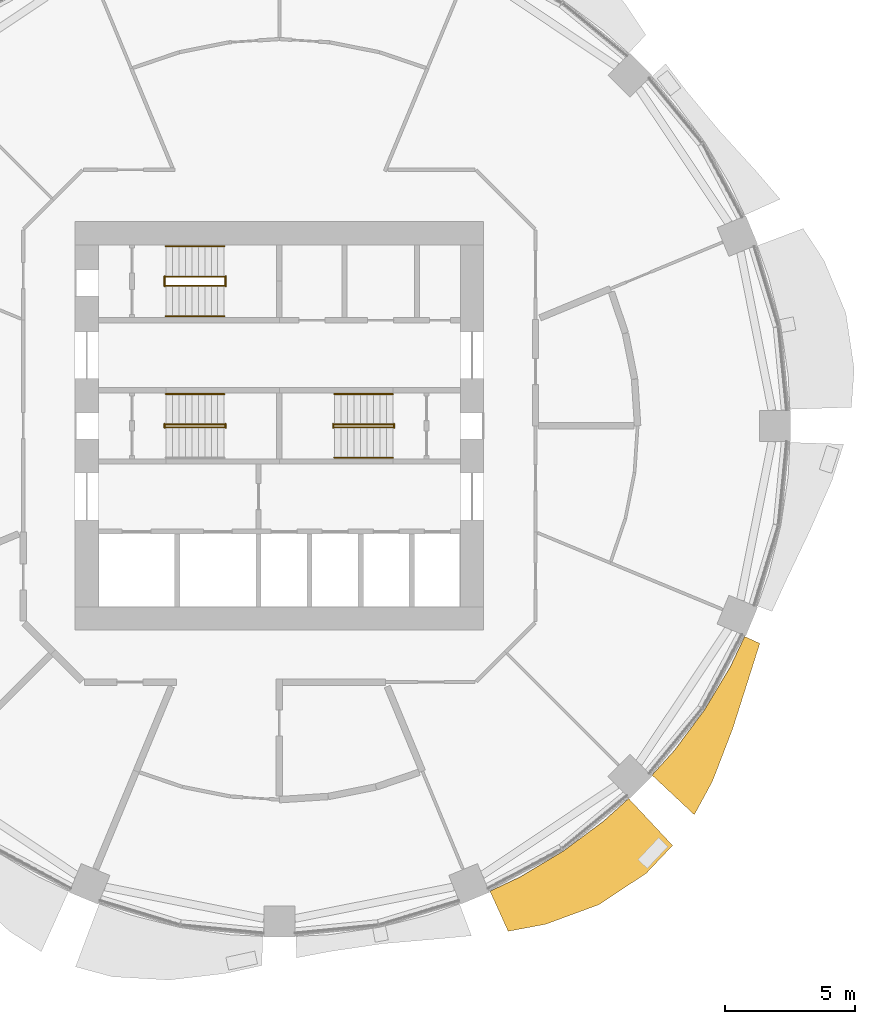
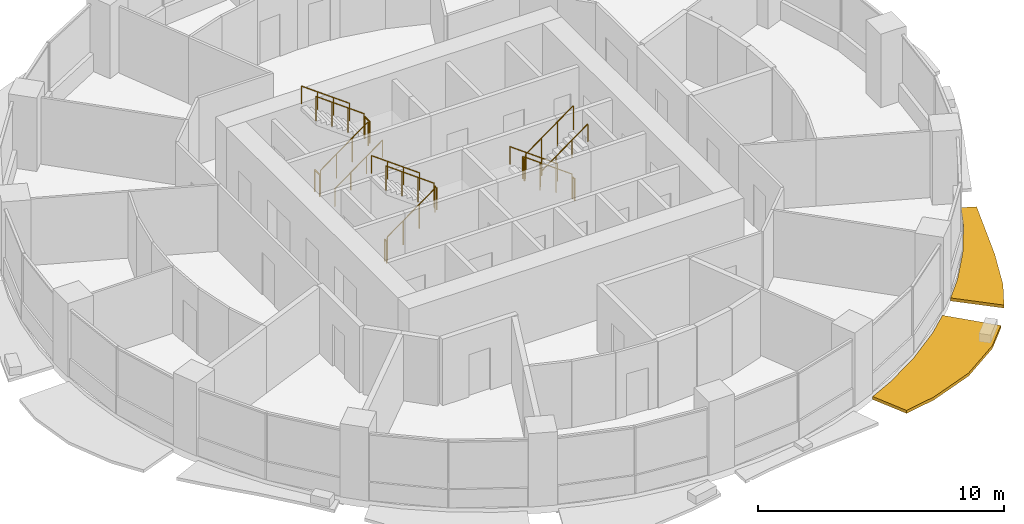
# One storey, part 13 of 15: 17 railings, 2 shading devices.
"""IFC4 building model written with IfcOpenShell, lengths in metres."""

from ifc_helpers import new_model, si_unit, direction, frame, origin, origin_2d, place, context, subcontext, project, spatial, polyline, circle, outline, extrude, material, type_object, element, save


model = new_model("IFC4")

# Units and contexts
model_context = context("Model", 3, precision=1e-05, world=origin(), true_north=direction((0.0, 1.0)))
body_context = subcontext(model_context, "Body", "Model", "MODEL_VIEW")
ifc_project = project(units=[si_unit("LENGTHUNIT", "METRE"), si_unit("AREAUNIT", "SQUARE_METRE"), si_unit("VOLUMEUNIT", "CUBIC_METRE"), si_unit("PLANEANGLEUNIT", "RADIAN"), si_unit("MASSUNIT", "GRAM", prefix="KILO")], contexts=[model_context])

# Site, building, storey
site_placement = place(None, origin())
site = spatial("IfcSite", under=ifc_project, at=site_placement, CompositionType="ELEMENT")
building_placement = place(site_placement, origin())
building = spatial("IfcBuilding", under=site, at=building_placement, Name="Polderwave Tower", CompositionType="ELEMENT")
storey_placement = place(building_placement, frame((0.0, 0.0, 40.800048828125)))
storey = spatial("IfcBuildingStorey", under=building, at=storey_placement, Name="L10", CompositionType="ELEMENT", Elevation=40.800048828125)

# Railings
ifc_material_1 = material(Name="Stainless steel", Category="steel")
railing_type_1 = type_object("IfcRailingType", Name="Stair guard 1100", PredefinedType="GUARDRAIL", material=ifc_material_1)
railing_1_placement = place(storey_placement, frame((-4.3740234375, -0.051025390625, 0.062255859375)))
element("IfcRailing", 1, at=railing_1_placement, inside=storey, type_object=railing_type_1, Name="L10 ST-A stair guard 1", PredefinedType="GUARDRAIL", context=body_context, shape_type="SweptSolid", body=[
    extrude(circle(Radius=0.02392578125, at=origin_2d()), frame((0.0, 0.0, 1.1962890625), z_axis=(0.807673635365, 0.0, 0.58962979804), x_axis=(0.0, 1.0, 0.0)), (0.0, 0.0, 1.0), 2.785888671875),
    extrude(circle(Radius=0.02392578125, at=origin_2d()), origin(), (0.0, 0.0, 1.0), 1.172119140625),
    extrude(circle(Radius=0.02392578125, at=origin_2d()), frame((0.75, 0.0, 0.547607421875)), (0.0, 0.0, 1.0), 1.172119140625),
    extrude(circle(Radius=0.02392578125, at=origin_2d()), frame((1.5, 0.0, 1.094970703125)), (0.0, 0.0, 1.0), 1.172119140625),
    extrude(circle(Radius=0.02392578125, at=origin_2d()), frame((2.25, 0.0, 1.642578125)), (0.0, 0.0, 1.0), 1.172119140625),
])
railing_2_placement = place(storey_placement, frame((-2.073974609375, -0.074951171875, 1.824951171875)))
element("IfcRailing", 2, at=railing_2_placement, inside=storey, type_object=railing_type_1, Name="L10 ST-A stair guard 2", PredefinedType="GUARDRAIL", context=body_context, shape_type="SweptSolid", body=[
    extrude(circle(Radius=0.02392578125, at=origin_2d()), frame((0.0, 0.0, 1.076171875), z_axis=(0.0, 1.0, 0.0), x_axis=(-1.0, 0.0, 0.0)), (0.0, 0.0, 1.0), 0.14990234375),
    extrude(circle(Radius=0.02099609375, at=origin_2d()), origin(), (0.0, 0.0, 1.0), 1.052001953125),
    extrude(circle(Radius=0.02099609375, at=origin_2d()), frame((0.0, 0.14990234375, 0.0)), (0.0, 0.0, 1.0), 1.052001953125),
])
railing_3_placement = place(storey_placement, frame((-2.1240234375, 0.051025390625, 1.887451171875)))
element("IfcRailing", 3, at=railing_3_placement, inside=storey, type_object=railing_type_1, Name="L10 ST-A stair guard 3", PredefinedType="GUARDRAIL", context=body_context, shape_type="SweptSolid", body=[
    extrude(circle(Radius=0.02392578125, at=origin_2d()), frame((0.0, 0.0, 1.1962890625), z_axis=(-0.807715371301, 0.0, 0.589572623995), x_axis=(0.0, -1.0, 0.0)), (0.0, 0.0, 1.0), 2.78564453125),
    extrude(circle(Radius=0.02392578125, at=origin_2d()), origin(), (0.0, 0.0, 1.0), 1.172119140625),
    extrude(circle(Radius=0.02392578125, at=origin_2d()), frame((-0.75, 0.0, 0.54736328125)), (0.0, 0.0, 1.0), 1.172119140625),
    extrude(circle(Radius=0.02392578125, at=origin_2d()), frame((-1.5, 0.0, 1.094970703125)), (0.0, 0.0, 1.0), 1.172119140625),
    extrude(circle(Radius=0.02392578125, at=origin_2d()), frame((-2.25, 0.0, 1.642333984375)), (0.0, 0.0, 1.0), 1.172119140625),
])
railing_4_placement = place(storey_placement, frame((-4.424072265625, -0.074951171875, 0.0)))
element("IfcRailing", 4, at=railing_4_placement, inside=storey, type_object=railing_type_1, Name="L10 ST-A stair guard 4", PredefinedType="GUARDRAIL", context=body_context, shape_type="SweptSolid", body=[
    extrude(circle(Radius=0.02392578125, at=origin_2d()), frame((0.0, 0.0, 1.076171875), z_axis=(0.0, 1.0, 0.0), x_axis=(-1.0, 0.0, 0.0)), (0.0, 0.0, 1.0), 0.14990234375),
    extrude(circle(Radius=0.02099609375, at=origin_2d()), origin(), (0.0, 0.0, 1.0), 1.052001953125),
    extrude(circle(Radius=0.02099609375, at=origin_2d()), frame((0.0, 0.14990234375, 0.0)), (0.0, 0.0, 1.0), 1.052001953125),
])
railing_5_placement = place(storey_placement, frame((4.3740234375, 0.051025390625, 0.062255859375)))
element("IfcRailing", 5, at=railing_5_placement, inside=storey, type_object=railing_type_1, Name="L10 ST-B stair guard 1", PredefinedType="GUARDRAIL", context=body_context, shape_type="SweptSolid", body=[
    extrude(circle(Radius=0.02392578125, at=origin_2d()), frame((0.0, 0.0, 1.1962890625), z_axis=(-0.807673635365, 0.0, 0.58962979804), x_axis=(0.0, -1.0, 0.0)), (0.0, 0.0, 1.0), 2.785888671875),
    extrude(circle(Radius=0.02392578125, at=origin_2d()), origin(), (0.0, 0.0, 1.0), 1.172119140625),
    extrude(circle(Radius=0.02392578125, at=origin_2d()), frame((-0.75, 0.0, 0.547607421875)), (0.0, 0.0, 1.0), 1.172119140625),
    extrude(circle(Radius=0.02392578125, at=origin_2d()), frame((-1.5, 0.0, 1.094970703125)), (0.0, 0.0, 1.0), 1.172119140625),
    extrude(circle(Radius=0.02392578125, at=origin_2d()), frame((-2.25, 0.0, 1.642578125)), (0.0, 0.0, 1.0), 1.172119140625),
])
railing_6_placement = place(storey_placement, frame((2.073974609375, 0.074951171875, 1.824951171875)))
element("IfcRailing", 6, at=railing_6_placement, inside=storey, type_object=railing_type_1, Name="L10 ST-B stair guard 2", PredefinedType="GUARDRAIL", context=body_context, shape_type="SweptSolid", body=[
    extrude(circle(Radius=0.02392578125, at=origin_2d()), frame((0.0, 0.0, 1.076171875), z_axis=(0.0, -1.0, 0.0), x_axis=(1.0, 0.0, 0.0)), (0.0, 0.0, 1.0), 0.14990234375),
    extrude(circle(Radius=0.02099609375, at=origin_2d()), origin(), (0.0, 0.0, 1.0), 1.052001953125),
    extrude(circle(Radius=0.02099609375, at=origin_2d()), frame((0.0, -0.14990234375, 0.0)), (0.0, 0.0, 1.0), 1.052001953125),
])
railing_7_placement = place(storey_placement, frame((2.1240234375, -0.051025390625, 1.887451171875)))
element("IfcRailing", 7, at=railing_7_placement, inside=storey, type_object=railing_type_1, Name="L10 ST-B stair guard 3", PredefinedType="GUARDRAIL", context=body_context, shape_type="SweptSolid", body=[
    extrude(circle(Radius=0.02392578125, at=origin_2d()), frame((0.0, 0.0, 1.1962890625), z_axis=(0.807715371301, 0.0, 0.589572623995), x_axis=(0.0, 1.0, 0.0)), (0.0, 0.0, 1.0), 2.78564453125),
    extrude(circle(Radius=0.02392578125, at=origin_2d()), origin(), (0.0, 0.0, 1.0), 1.172119140625),
    extrude(circle(Radius=0.02392578125, at=origin_2d()), frame((0.75, 0.0, 0.54736328125)), (0.0, 0.0, 1.0), 1.172119140625),
    extrude(circle(Radius=0.02392578125, at=origin_2d()), frame((1.5, 0.0, 1.094970703125)), (0.0, 0.0, 1.0), 1.172119140625),
    extrude(circle(Radius=0.02392578125, at=origin_2d()), frame((2.25, 0.0, 1.642333984375)), (0.0, 0.0, 1.0), 1.172119140625),
])
railing_8_placement = place(storey_placement, frame((4.424072265625, 0.074951171875, 0.0)))
element("IfcRailing", 8, at=railing_8_placement, inside=storey, type_object=railing_type_1, Name="L10 ST-B stair guard 4", PredefinedType="GUARDRAIL", context=body_context, shape_type="SweptSolid", body=[
    extrude(circle(Radius=0.02392578125, at=origin_2d()), frame((0.0, 0.0, 1.076171875), z_axis=(0.0, -1.0, 0.0), x_axis=(1.0, 0.0, 0.0)), (0.0, 0.0, 1.0), 0.14990234375),
    extrude(circle(Radius=0.02099609375, at=origin_2d()), origin(), (0.0, 0.0, 1.0), 1.052001953125),
    extrude(circle(Radius=0.02099609375, at=origin_2d()), frame((0.0, -0.14990234375, 0.0)), (0.0, 0.0, 1.0), 1.052001953125),
])
railing_9_placement = place(storey_placement, frame((-4.3740234375, 5.39794921875, 0.062255859375)))
element("IfcRailing", 9, at=railing_9_placement, inside=storey, type_object=railing_type_1, Name="L10 ST-C stair guard 1", PredefinedType="GUARDRAIL", context=body_context, shape_type="SweptSolid", body=[
    extrude(circle(Radius=0.02392578125, at=origin_2d()), frame((0.0, 0.0, 1.1962890625), z_axis=(0.807673635365, 0.0, 0.58962979804), x_axis=(0.0, 1.0, 0.0)), (0.0, 0.0, 1.0), 2.785888671875),
    extrude(circle(Radius=0.02392578125, at=origin_2d()), origin(), (0.0, 0.0, 1.0), 1.172119140625),
    extrude(circle(Radius=0.02392578125, at=origin_2d()), frame((0.75, 0.0, 0.547607421875)), (0.0, 0.0, 1.0), 1.172119140625),
    extrude(circle(Radius=0.02392578125, at=origin_2d()), frame((1.5, 0.0, 1.094970703125)), (0.0, 0.0, 1.0), 1.172119140625),
    extrude(circle(Radius=0.02392578125, at=origin_2d()), frame((2.25, 0.0, 1.642578125)), (0.0, 0.0, 1.0), 1.172119140625),
])
railing_10_placement = place(storey_placement, frame((-2.073974609375, 5.3740234375, 1.824951171875)))
element("IfcRailing", 10, at=railing_10_placement, inside=storey, type_object=railing_type_1, Name="L10 ST-C stair guard 2", PredefinedType="GUARDRAIL", context=body_context, shape_type="SweptSolid", body=[
    extrude(circle(Radius=0.02392578125, at=origin_2d()), frame((0.0, 0.0, 1.076171875), z_axis=(0.0, 1.0, 0.0), x_axis=(-1.0, 0.0, 0.0)), (0.0, 0.0, 1.0), 0.39990234375),
    extrude(circle(Radius=0.02099609375, at=origin_2d()), origin(), (0.0, 0.0, 1.0), 1.052001953125),
    extrude(circle(Radius=0.02099609375, at=origin_2d()), frame((0.0, 0.39990234375, 0.0)), (0.0, 0.0, 1.0), 1.052001953125),
])
railing_11_placement = place(storey_placement, frame((-2.1240234375, 5.75, 1.887451171875)))
element("IfcRailing", 11, at=railing_11_placement, inside=storey, type_object=railing_type_1, Name="L10 ST-C stair guard 3", PredefinedType="GUARDRAIL", context=body_context, shape_type="SweptSolid", body=[
    extrude(circle(Radius=0.02392578125, at=origin_2d()), frame((0.0, 0.0, 1.1962890625), z_axis=(-0.807715371301, 0.0, 0.589572623995), x_axis=(0.0, -1.0, 0.0)), (0.0, 0.0, 1.0), 2.78564453125),
    extrude(circle(Radius=0.02392578125, at=origin_2d()), origin(), (0.0, 0.0, 1.0), 1.172119140625),
    extrude(circle(Radius=0.02392578125, at=origin_2d()), frame((-0.75, 0.0, 0.54736328125)), (0.0, 0.0, 1.0), 1.172119140625),
    extrude(circle(Radius=0.02392578125, at=origin_2d()), frame((-1.5, 0.0, 1.094970703125)), (0.0, 0.0, 1.0), 1.172119140625),
    extrude(circle(Radius=0.02392578125, at=origin_2d()), frame((-2.25, 0.0, 1.642333984375)), (0.0, 0.0, 1.0), 1.172119140625),
])
railing_12_placement = place(storey_placement, frame((-4.424072265625, 5.3740234375, 0.0)))
element("IfcRailing", 12, at=railing_12_placement, inside=storey, type_object=railing_type_1, Name="L10 ST-C stair guard 4", PredefinedType="GUARDRAIL", context=body_context, shape_type="SweptSolid", body=[
    extrude(circle(Radius=0.02392578125, at=origin_2d()), frame((0.0, 0.0, 1.076171875), z_axis=(0.0, 1.0, 0.0), x_axis=(-1.0, 0.0, 0.0)), (0.0, 0.0, 1.0), 0.39990234375),
    extrude(circle(Radius=0.02099609375, at=origin_2d()), origin(), (0.0, 0.0, 1.0), 1.052001953125),
    extrude(circle(Radius=0.02099609375, at=origin_2d()), frame((0.0, 0.39990234375, 0.0)), (0.0, 0.0, 1.0), 1.052001953125),
])
railing_type_2 = type_object("IfcRailingType", Name="Stair handrail 900", PredefinedType="HANDRAIL", material=ifc_material_1)
railing_13_placement = place(storey_placement, frame((-2.1240234375, 1.22509765625, 2.007568359375)))
element("IfcRailing", 13, at=railing_13_placement, inside=storey, type_object=railing_type_2, Name="L10 ST-A stair handrail 2", PredefinedType="HANDRAIL", context=body_context, shape_type="SweptSolid", body=[
    extrude(circle(Radius=0.02392578125, at=origin_2d()), frame((0.0, 0.0, 0.8759765625), z_axis=(-0.807715371301, 0.0, 0.589572623995), x_axis=(0.0, -1.0, 0.0)), (0.0, 0.0, 1.0), 2.78564453125),
    extrude(circle(Radius=0.02099609375, at=origin_2d()), origin(), (0.0, 0.0, 1.0), 0.851806640625),
    extrude(circle(Radius=0.02099609375, at=origin_2d()), frame((-0.75, 0.0, 0.54736328125)), (0.0, 0.0, 1.0), 0.851806640625),
    extrude(circle(Radius=0.02099609375, at=origin_2d()), frame((-1.5, 0.0, 1.094970703125)), (0.0, 0.0, 1.0), 0.851806640625),
    extrude(circle(Radius=0.02099609375, at=origin_2d()), frame((-2.25, 0.0, 1.642333984375)), (0.0, 0.0, 1.0), 0.851806640625),
])
railing_14_placement = place(storey_placement, frame((4.3740234375, 1.22509765625, 0.182373046875)))
element("IfcRailing", 14, at=railing_14_placement, inside=storey, type_object=railing_type_2, Name="L10 ST-B stair handrail 1", PredefinedType="HANDRAIL", context=body_context, shape_type="SweptSolid", body=[
    extrude(circle(Radius=0.02392578125, at=origin_2d()), frame((0.0, 0.0, 0.8759765625), z_axis=(-0.807673635365, 0.0, 0.58962979804), x_axis=(0.0, -1.0, 0.0)), (0.0, 0.0, 1.0), 2.785888671875),
    extrude(circle(Radius=0.02099609375, at=origin_2d()), origin(), (0.0, 0.0, 1.0), 0.851806640625),
    extrude(circle(Radius=0.02099609375, at=origin_2d()), frame((-0.75, 0.0, 0.547607421875)), (0.0, 0.0, 1.0), 0.851806640625),
    extrude(circle(Radius=0.02099609375, at=origin_2d()), frame((-1.5, 0.0, 1.094970703125)), (0.0, 0.0, 1.0), 0.851806640625),
    extrude(circle(Radius=0.02099609375, at=origin_2d()), frame((-2.25, 0.0, 1.642578125)), (0.0, 0.0, 1.0), 0.851806640625),
])
railing_15_placement = place(storey_placement, frame((2.1240234375, -1.22509765625, 2.007568359375)))
element("IfcRailing", 15, at=railing_15_placement, inside=storey, type_object=railing_type_2, Name="L10 ST-B stair handrail 2", PredefinedType="HANDRAIL", context=body_context, shape_type="SweptSolid", body=[
    extrude(circle(Radius=0.02392578125, at=origin_2d()), frame((0.0, 0.0, 0.8759765625), z_axis=(0.807715371301, 0.0, 0.589572623995), x_axis=(0.0, 1.0, 0.0)), (0.0, 0.0, 1.0), 2.78564453125),
    extrude(circle(Radius=0.02099609375, at=origin_2d()), origin(), (0.0, 0.0, 1.0), 0.851806640625),
    extrude(circle(Radius=0.02099609375, at=origin_2d()), frame((0.75, 0.0, 0.54736328125)), (0.0, 0.0, 1.0), 0.851806640625),
    extrude(circle(Radius=0.02099609375, at=origin_2d()), frame((1.5, 0.0, 1.094970703125)), (0.0, 0.0, 1.0), 0.851806640625),
    extrude(circle(Radius=0.02099609375, at=origin_2d()), frame((2.25, 0.0, 1.642333984375)), (0.0, 0.0, 1.0), 0.851806640625),
])
railing_16_placement = place(storey_placement, frame((-4.3740234375, 4.22412109375, 0.182373046875)))
element("IfcRailing", 16, at=railing_16_placement, inside=storey, type_object=railing_type_2, Name="L10 ST-C stair handrail 1", PredefinedType="HANDRAIL", context=body_context, shape_type="SweptSolid", body=[
    extrude(circle(Radius=0.02392578125, at=origin_2d()), frame((0.0, 0.0, 0.8759765625), z_axis=(0.807673635365, 0.0, 0.58962979804), x_axis=(0.0, 1.0, 0.0)), (0.0, 0.0, 1.0), 2.785888671875),
    extrude(circle(Radius=0.02099609375, at=origin_2d()), origin(), (0.0, 0.0, 1.0), 0.851806640625),
    extrude(circle(Radius=0.02099609375, at=origin_2d()), frame((0.75, 0.0, 0.547607421875)), (0.0, 0.0, 1.0), 0.851806640625),
    extrude(circle(Radius=0.02099609375, at=origin_2d()), frame((1.5, 0.0, 1.094970703125)), (0.0, 0.0, 1.0), 0.851806640625),
    extrude(circle(Radius=0.02099609375, at=origin_2d()), frame((2.25, 0.0, 1.642578125)), (0.0, 0.0, 1.0), 0.851806640625),
])
railing_17_placement = place(storey_placement, frame((-2.1240234375, 6.924072265625, 2.007568359375)))
element("IfcRailing", 17, at=railing_17_placement, inside=storey, type_object=railing_type_2, Name="L10 ST-C stair handrail 2", PredefinedType="HANDRAIL", context=body_context, shape_type="SweptSolid", body=[
    extrude(circle(Radius=0.02392578125, at=origin_2d()), frame((0.0, 0.0, 0.8759765625), z_axis=(-0.807715371301, 0.0, 0.589572623995), x_axis=(0.0, -1.0, 0.0)), (0.0, 0.0, 1.0), 2.78564453125),
    extrude(circle(Radius=0.02099609375, at=origin_2d()), origin(), (0.0, 0.0, 1.0), 0.851806640625),
    extrude(circle(Radius=0.02099609375, at=origin_2d()), frame((-0.75, 0.0, 0.54736328125)), (0.0, 0.0, 1.0), 0.851806640625),
    extrude(circle(Radius=0.02099609375, at=origin_2d()), frame((-1.5, 0.0, 1.094970703125)), (0.0, 0.0, 1.0), 0.851806640625),
    extrude(circle(Radius=0.02099609375, at=origin_2d()), frame((-2.25, 0.0, 1.642333984375)), (0.0, 0.0, 1.0), 0.851806640625),
])

# Shading devices
ifc_material_2 = material(Name="Terracotta", Category="masonry")
shading_device_type = type_object("IfcShadingDeviceType", Name="Terracotta sunshade band", PredefinedType="USERDEFINED", material=ifc_material_2)
shading_device_1_placement = place(storey_placement, frame((0.0, 0.0, -0.35009765625)))
element("IfcShadingDevice", 18, at=shading_device_1_placement, inside=storey, type_object=shading_device_type, Name="Sunshade band L10 14", ObjectType="SUNSHADE", PredefinedType="USERDEFINED", context=body_context, shape_type="SweptSolid", body=[
    extrude(outline(polyline([(8.1201171875, -17.9365234375), (9.291259765625, -17.3828125), (10.9501953125, -16.38818359375), (12.50390625, -15.236083984375), (13.4638671875, -14.365966796875), (15.15966796875, -16.17529296875), (14.150146484375, -17.241943359375), (12.329833984375, -18.452880859375), (10.268798828125, -19.21142578125), (8.820556640625, -19.48388671875), (8.1201171875, -17.9365234375)])), origin(), (0.0, 0.0, 1.0), 0.150146484375),
])
shading_device_2_placement = place(storey_placement, frame((0.0, 0.0, -0.35009765625)))
element("IfcShadingDevice", 19, at=shading_device_2_placement, inside=storey, type_object=shading_device_type, Name="Sunshade band L10 15", ObjectType="SUNSHADE", PredefinedType="USERDEFINED", context=body_context, shape_type="SweptSolid", body=[
    extrude(outline(polyline([(14.365966796875, -13.4638671875), (15.236083984375, -12.50390625), (16.38818359375, -10.9501953125), (17.3828125, -9.291259765625), (17.9365234375, -8.1201171875), (18.521240234375, -8.384765625), (18.110595703125, -9.680419921875), (17.47509765625, -11.676513671875), (16.6953125, -13.701416015625), (15.995849609375, -14.991455078125), (14.365966796875, -13.4638671875)])), origin(), (0.0, 0.0, 1.0), 0.150146484375),
])

save(model, "model.ifc")
